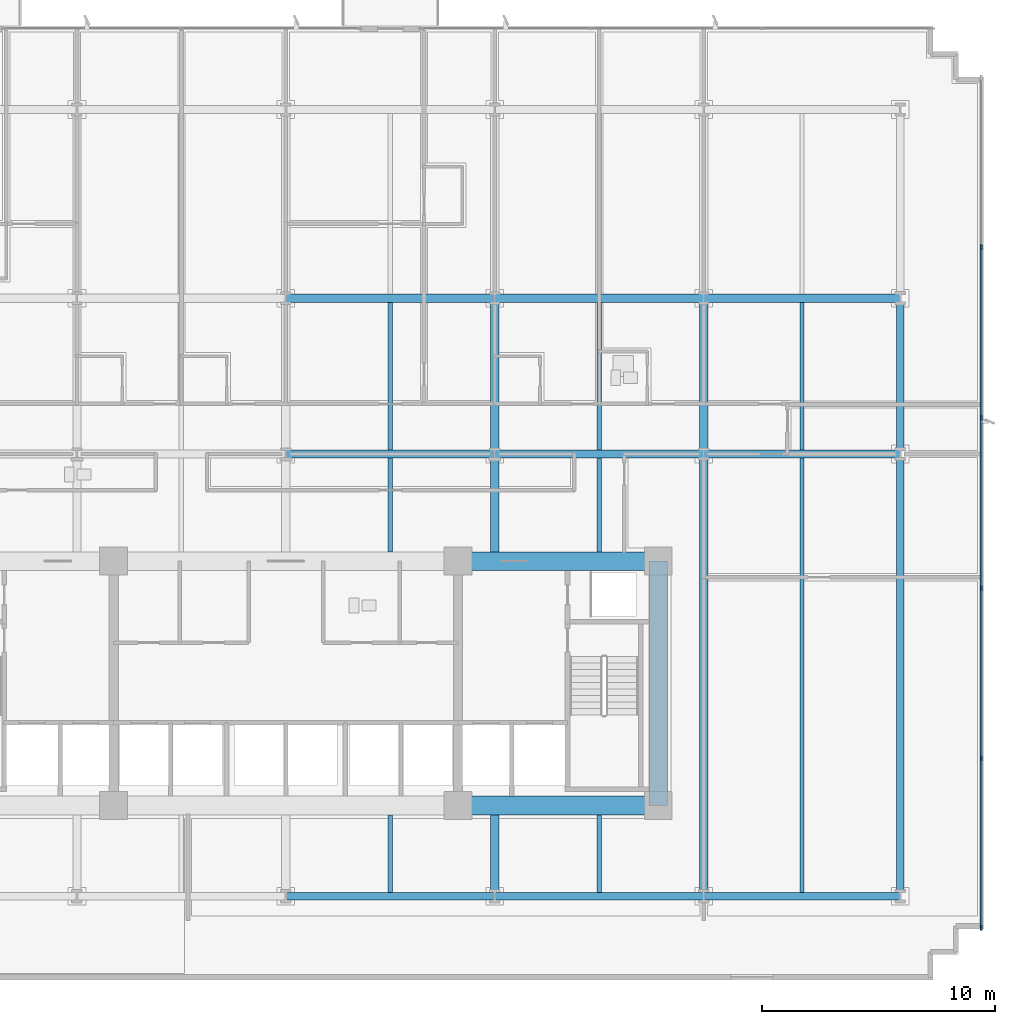
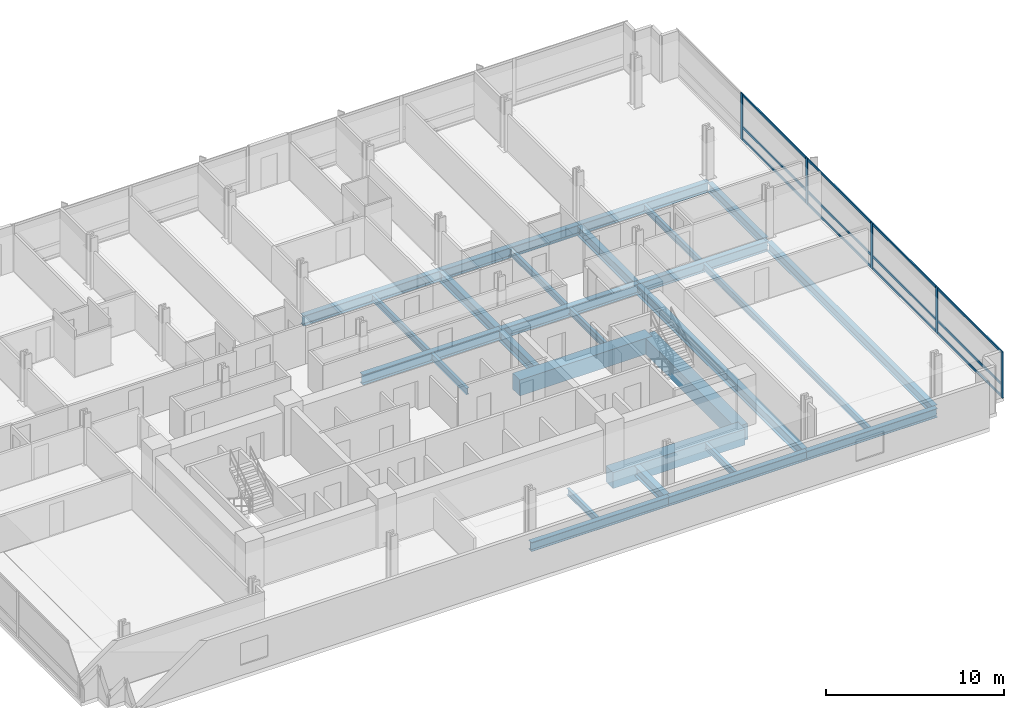
# One storey, part 4 of 15: 27 beams, 17 members, 1 element without a shape of its own.
"""IFC4 building model written with IfcOpenShell, lengths in metres."""

from ifc_helpers import new_model, si_unit, direction, frame, origin, origin_2d, place, context, subcontext, project, spatial, rectangle, i_section, extrude, material, material_profile, profile_set, type_object, element, aggregate, save


model = new_model("IFC4")

# Units and contexts
model_context = context("Model", 3, precision=1e-05, world=origin(), true_north=direction((0.0, 1.0)))
body_context = subcontext(model_context, "Body", "Model", "MODEL_VIEW")
ifc_project = project(units=[si_unit("LENGTHUNIT", "METRE"), si_unit("AREAUNIT", "SQUARE_METRE"), si_unit("VOLUMEUNIT", "CUBIC_METRE"), si_unit("PLANEANGLEUNIT", "RADIAN"), si_unit("MASSUNIT", "GRAM", prefix="KILO")], contexts=[model_context])

# Site, building, storey
site_placement = place(None, origin())
site = spatial("IfcSite", under=ifc_project, at=site_placement, CompositionType="ELEMENT")
building_placement = place(site_placement, origin())
building = spatial("IfcBuilding", under=site, at=building_placement, Name="Solmavex Isthmus Hotel", CompositionType="ELEMENT")
storey_placement = place(building_placement, frame((0.0, 0.0, 64.35009765625)))
storey = spatial("IfcBuildingStorey", under=building, at=storey_placement, Name="L17", CompositionType="ELEMENT", Elevation=64.35009765625)

# Beams
ifc_material_1 = material(Name="Steel ASTM A992 Grade 50", Category="steel")
ifc_material_profile_1 = material_profile(ifc_material_1, i_section(OverallWidth=0.354736328125, OverallDepth=0.695556640625, WebThickness=0.015380859375, FlangeThickness=0.02490234375, FilletRadius=0.017822265625, at=origin_2d()), Name="W27X146")
ifc_profile_set_1 = profile_set([ifc_material_profile_1], Name="Steel ASTM A992 Grade 50")
beam_type_1 = type_object("IfcBeamType", Name="BM-BG-W27X146", PredefinedType="BEAM", material=ifc_profile_set_1)
beam_1_placement = place(storey_placement, frame((0.0, 2.10009765625, -0.60791015625), z_axis=(1.0, 0.0, 0.0), x_axis=(0.0, 1.0, 0.0)))
element("IfcBeam", 1, at=beam_1_placement, inside=storey, type_object=beam_type_1, Name="Floor Girder L17-UG10", PredefinedType="BEAM", context=body_context, shape_type="SweptSolid", body=[
    extrude(i_section(OverallWidth=0.354736328125, OverallDepth=0.695556640625, WebThickness=0.015380859375, FlangeThickness=0.02490234375, FilletRadius=0.017822265625, at=origin_2d()), origin(), (0.0, 0.0, 1.0), 8.97607421875),
])
beam_2_placement = place(storey_placement, frame((8.97607421875, 2.10009765625, -0.60791015625), z_axis=(1.0, 0.0, 0.0), x_axis=(0.0, 1.0, 0.0)))
element("IfcBeam", 2, at=beam_2_placement, inside=storey, type_object=beam_type_1, Name="Floor Girder L17-UG11", PredefinedType="BEAM", context=body_context, shape_type="SweptSolid", body=[
    extrude(i_section(OverallWidth=0.354736328125, OverallDepth=0.695556640625, WebThickness=0.015380859375, FlangeThickness=0.02490234375, FilletRadius=0.017822265625, at=origin_2d()), origin(), (0.0, 0.0, 1.0), 8.975830078125),
])
beam_3_placement = place(storey_placement, frame((17.951904296875, 2.10009765625, -0.60791015625), z_axis=(1.0, 0.0, 0.0), x_axis=(0.0, 1.0, 0.0)))
element("IfcBeam", 3, at=beam_3_placement, inside=storey, type_object=beam_type_1, Name="Floor Girder L17-UG12", PredefinedType="BEAM", context=body_context, shape_type="SweptSolid", body=[
    extrude(i_section(OverallWidth=0.354736328125, OverallDepth=0.695556640625, WebThickness=0.015380859375, FlangeThickness=0.02490234375, FilletRadius=0.017822265625, at=origin_2d()), origin(), (0.0, 0.0, 1.0), 8.447998046875),
])
beam_4_placement = place(storey_placement, frame((0.0, 8.7880859375, -0.60791015625), z_axis=(1.0, 0.0, 0.0), x_axis=(0.0, 1.0, 0.0)))
element("IfcBeam", 4, at=beam_4_placement, inside=storey, type_object=beam_type_1, Name="Floor Girder L17-UG16", PredefinedType="BEAM", context=body_context, shape_type="SweptSolid", body=[
    extrude(i_section(OverallWidth=0.354736328125, OverallDepth=0.695556640625, WebThickness=0.015380859375, FlangeThickness=0.02490234375, FilletRadius=0.017822265625, at=origin_2d()), origin(), (0.0, 0.0, 1.0), 8.97607421875),
])
beam_5_placement = place(storey_placement, frame((8.97607421875, 8.7880859375, -0.60791015625), z_axis=(1.0, 0.0, 0.0), x_axis=(0.0, 1.0, 0.0)))
element("IfcBeam", 5, at=beam_5_placement, inside=storey, type_object=beam_type_1, Name="Floor Girder L17-UG17", PredefinedType="BEAM", context=body_context, shape_type="SweptSolid", body=[
    extrude(i_section(OverallWidth=0.354736328125, OverallDepth=0.695556640625, WebThickness=0.015380859375, FlangeThickness=0.02490234375, FilletRadius=0.017822265625, at=origin_2d()), origin(), (0.0, 0.0, 1.0), 8.975830078125),
])
beam_6_placement = place(storey_placement, frame((17.951904296875, 8.7880859375, -0.60791015625), z_axis=(1.0, 0.0, 0.0), x_axis=(0.0, 1.0, 0.0)))
element("IfcBeam", 6, at=beam_6_placement, inside=storey, type_object=beam_type_1, Name="Floor Girder L17-UG18", PredefinedType="BEAM", context=body_context, shape_type="SweptSolid", body=[
    extrude(i_section(OverallWidth=0.354736328125, OverallDepth=0.695556640625, WebThickness=0.015380859375, FlangeThickness=0.02490234375, FilletRadius=0.017822265625, at=origin_2d()), origin(), (0.0, 0.0, 1.0), 8.447998046875),
])
beam_7_placement = place(storey_placement, frame((8.97607421875, -16.73681640625, -0.60791015625), z_axis=(0.0, 1.0, 0.0), x_axis=(-1.0, 0.0, 0.0)))
element("IfcBeam", 7, at=beam_7_placement, inside=storey, type_object=beam_type_1, Name="Floor Beam L17-VG39", PredefinedType="BEAM", context=body_context, shape_type="SweptSolid", body=[
    extrude(i_section(OverallWidth=0.354736328125, OverallDepth=0.695556640625, WebThickness=0.015380859375, FlangeThickness=0.02490234375, FilletRadius=0.017822265625, at=origin_2d()), origin(), (0.0, 0.0, 1.0), 3.3369140625),
])
beam_8_placement = place(storey_placement, frame((8.97607421875, -2.10009765625, -0.60791015625), z_axis=(0.0, 1.0, 0.0), x_axis=(-1.0, 0.0, 0.0)))
element("IfcBeam", 8, at=beam_8_placement, inside=storey, type_object=beam_type_1, Name="Floor Beam L17-VG40", PredefinedType="BEAM", context=body_context, shape_type="SweptSolid", body=[
    extrude(i_section(OverallWidth=0.354736328125, OverallDepth=0.695556640625, WebThickness=0.015380859375, FlangeThickness=0.02490234375, FilletRadius=0.017822265625, at=origin_2d()), origin(), (0.0, 0.0, 1.0), 4.022705078125),
])
beam_9_placement = place(storey_placement, frame((8.97607421875, 2.27734375, -0.60791015625), z_axis=(0.0, 1.0, 0.0), x_axis=(-1.0, 0.0, 0.0)))
element("IfcBeam", 9, at=beam_9_placement, inside=storey, type_object=beam_type_1, Name="Floor Beam L17-VG41", PredefinedType="BEAM", context=body_context, shape_type="SweptSolid", body=[
    extrude(i_section(OverallWidth=0.354736328125, OverallDepth=0.695556640625, WebThickness=0.015380859375, FlangeThickness=0.02490234375, FilletRadius=0.017822265625, at=origin_2d()), origin(), (0.0, 0.0, 1.0), 6.333251953125),
])
beam_10_placement = place(storey_placement, frame((17.951904296875, -16.73681640625, -0.60791015625), z_axis=(0.0, 1.0, 0.0), x_axis=(-1.0, 0.0, 0.0)))
element("IfcBeam", 10, at=beam_10_placement, inside=storey, type_object=beam_type_1, Name="Floor Beam L17-VG43", PredefinedType="BEAM", context=body_context, shape_type="SweptSolid", body=[
    extrude(i_section(OverallWidth=0.354736328125, OverallDepth=0.695556640625, WebThickness=0.015380859375, FlangeThickness=0.02490234375, FilletRadius=0.017822265625, at=origin_2d()), origin(), (0.0, 0.0, 1.0), 18.659423828125),
])
beam_11_placement = place(storey_placement, frame((17.951904296875, 2.27734375, -0.60791015625), z_axis=(0.0, 1.0, 0.0), x_axis=(-1.0, 0.0, 0.0)))
element("IfcBeam", 11, at=beam_11_placement, inside=storey, type_object=beam_type_1, Name="Floor Beam L17-VG44", PredefinedType="BEAM", context=body_context, shape_type="SweptSolid", body=[
    extrude(i_section(OverallWidth=0.354736328125, OverallDepth=0.695556640625, WebThickness=0.015380859375, FlangeThickness=0.02490234375, FilletRadius=0.017822265625, at=origin_2d()), origin(), (0.0, 0.0, 1.0), 6.333251953125),
])
ifc_material_profile_2 = material_profile(ifc_material_1, i_section(OverallWidth=0.1904296875, OverallDepth=0.456787109375, WebThickness=0.009033203125, FlangeThickness=0.014404296875, FilletRadius=0.0126953125, at=origin_2d()), Name="W18X50")
ifc_profile_set_2 = profile_set([ifc_material_profile_2], Name="Steel ASTM A992 Grade 50")
beam_type_2 = type_object("IfcBeamType", Name="BM-BJ-W18X50", PredefinedType="JOIST", material=ifc_profile_set_2)
beam_12_placement = place(storey_placement, frame((4.488037109375, -16.73681640625, -0.488525390625), z_axis=(0.0, 1.0, 0.0), x_axis=(-1.0, 0.0, 0.0)))
element("IfcBeam", 12, at=beam_12_placement, inside=storey, type_object=beam_type_2, Name="Secondary Floor Joist L17-J12", PredefinedType="JOIST", context=body_context, shape_type="SweptSolid", body=[
    extrude(i_section(OverallWidth=0.1904296875, OverallDepth=0.456787109375, WebThickness=0.009033203125, FlangeThickness=0.014404296875, FilletRadius=0.0126953125, at=origin_2d()), origin(), (0.0, 0.0, 1.0), 3.3369140625),
])
beam_13_placement = place(storey_placement, frame((4.488037109375, -2.10009765625, -0.488525390625), z_axis=(0.0, 1.0, 0.0), x_axis=(-1.0, 0.0, 0.0)))
element("IfcBeam", 13, at=beam_13_placement, inside=storey, type_object=beam_type_2, Name="Secondary Floor Joist L17-J13", PredefinedType="JOIST", context=body_context, shape_type="SweptSolid", body=[
    extrude(i_section(OverallWidth=0.1904296875, OverallDepth=0.456787109375, WebThickness=0.009033203125, FlangeThickness=0.014404296875, FilletRadius=0.0126953125, at=origin_2d()), origin(), (0.0, 0.0, 1.0), 4.022705078125),
])
beam_14_placement = place(storey_placement, frame((4.488037109375, 2.27734375, -0.488525390625), z_axis=(0.0, 1.0, 0.0), x_axis=(-1.0, 0.0, 0.0)))
element("IfcBeam", 14, at=beam_14_placement, inside=storey, type_object=beam_type_2, Name="Secondary Floor Joist L17-J14", PredefinedType="JOIST", context=body_context, shape_type="SweptSolid", body=[
    extrude(i_section(OverallWidth=0.1904296875, OverallDepth=0.456787109375, WebThickness=0.009033203125, FlangeThickness=0.014404296875, FilletRadius=0.0126953125, at=origin_2d()), origin(), (0.0, 0.0, 1.0), 6.333251953125),
])
beam_15_placement = place(storey_placement, frame((13.464111328125, -16.73681640625, -0.488525390625), z_axis=(0.0, 1.0, 0.0), x_axis=(-1.0, 0.0, 0.0)))
element("IfcBeam", 15, at=beam_15_placement, inside=storey, type_object=beam_type_2, Name="Secondary Floor Joist L17-J16", PredefinedType="JOIST", context=body_context, shape_type="SweptSolid", body=[
    extrude(i_section(OverallWidth=0.1904296875, OverallDepth=0.456787109375, WebThickness=0.009033203125, FlangeThickness=0.014404296875, FilletRadius=0.0126953125, at=origin_2d()), origin(), (0.0, 0.0, 1.0), 3.3369140625),
])
beam_16_placement = place(storey_placement, frame((13.464111328125, -2.10009765625, -0.488525390625), z_axis=(0.0, 1.0, 0.0), x_axis=(-1.0, 0.0, 0.0)))
element("IfcBeam", 16, at=beam_16_placement, inside=storey, type_object=beam_type_2, Name="Secondary Floor Joist L17-J17", PredefinedType="JOIST", context=body_context, shape_type="SweptSolid", body=[
    extrude(i_section(OverallWidth=0.1904296875, OverallDepth=0.456787109375, WebThickness=0.009033203125, FlangeThickness=0.014404296875, FilletRadius=0.0126953125, at=origin_2d()), origin(), (0.0, 0.0, 1.0), 4.022705078125),
])
beam_17_placement = place(storey_placement, frame((13.464111328125, 2.27734375, -0.488525390625), z_axis=(0.0, 1.0, 0.0), x_axis=(-1.0, 0.0, 0.0)))
element("IfcBeam", 17, at=beam_17_placement, inside=storey, type_object=beam_type_2, Name="Secondary Floor Joist L17-J18", PredefinedType="JOIST", context=body_context, shape_type="SweptSolid", body=[
    extrude(i_section(OverallWidth=0.1904296875, OverallDepth=0.456787109375, WebThickness=0.009033203125, FlangeThickness=0.014404296875, FilletRadius=0.0126953125, at=origin_2d()), origin(), (0.0, 0.0, 1.0), 6.333251953125),
])
beam_18_placement = place(storey_placement, frame((22.176025390625, -16.73681640625, -0.488525390625), z_axis=(0.0, 1.0, 0.0), x_axis=(-1.0, 0.0, 0.0)))
element("IfcBeam", 18, at=beam_18_placement, inside=storey, type_object=beam_type_2, Name="Secondary Floor Joist L17-J20", PredefinedType="JOIST", context=body_context, shape_type="SweptSolid", body=[
    extrude(i_section(OverallWidth=0.1904296875, OverallDepth=0.456787109375, WebThickness=0.009033203125, FlangeThickness=0.014404296875, FilletRadius=0.0126953125, at=origin_2d()), origin(), (0.0, 0.0, 1.0), 18.659423828125),
])
beam_19_placement = place(storey_placement, frame((22.176025390625, 2.27734375, -0.488525390625), z_axis=(0.0, 1.0, 0.0), x_axis=(-1.0, 0.0, 0.0)))
element("IfcBeam", 19, at=beam_19_placement, inside=storey, type_object=beam_type_2, Name="Secondary Floor Joist L17-J21", PredefinedType="JOIST", context=body_context, shape_type="SweptSolid", body=[
    extrude(i_section(OverallWidth=0.1904296875, OverallDepth=0.456787109375, WebThickness=0.009033203125, FlangeThickness=0.014404296875, FilletRadius=0.0126953125, at=origin_2d()), origin(), (0.0, 0.0, 1.0), 6.333251953125),
])
ifc_material_2 = material(Name="Concrete C70/85", Category="concrete")
ifc_material_profile_3 = material_profile(ifc_material_2, rectangle(XDim=0.800048828125, YDim=1.10009765625, at=origin_2d()), Name="RC800X1100")
ifc_profile_set_3 = profile_set([ifc_material_profile_3], Name="Concrete C70/85")
beam_type_3 = type_object("IfcBeamType", Name="BM-CB-800X1100", PredefinedType="BEAM", material=ifc_profile_set_3)
for number, where, z_axis, x_axis, name in (
    (20, (7.39990234375, -13.0, -0.81005859375), (1.0, 0.0, 0.0), (0.0, 1.0, 0.0), "Core Coupling Beam L17-CB3"),
    (21, (7.39990234375, -2.5, -0.81005859375), (1.0, 0.0, 0.0), (0.0, 1.0, 0.0), "Core Coupling Beam L17-CB6"),
):
    element("IfcBeam", number, at=place(storey_placement, frame(where, z_axis=z_axis, x_axis=x_axis)), inside=storey, type_object=beam_type_3, Name=name, PredefinedType="BEAM", context=body_context, shape_type="SweptSolid", body=[
        extrude(rectangle(XDim=0.800048828125, YDim=1.10009765625, at=origin_2d()), origin(), (0.0, 0.0, 1.0), 8.60009765625),
    ])
beam_20_placement = place(storey_placement, frame((16.0, -13.0, -0.81005859375), z_axis=(0.0, 1.0, 0.0), x_axis=(-1.0, 0.0, 0.0)))
element("IfcBeam", 22, at=beam_20_placement, inside=storey, type_object=beam_type_3, Name="Core Coupling Beam L17-CB8", PredefinedType="BEAM", context=body_context, shape_type="SweptSolid", body=[
    extrude(rectangle(XDim=0.800048828125, YDim=1.10009765625, at=origin_2d()), origin(), (0.0, 0.0, 1.0), 10.5),
])
ifc_material_profile_4 = material_profile(ifc_material_1, i_section(OverallWidth=0.326416015625, OverallDepth=0.621826171875, WebThickness=0.015380859375, FlangeThickness=0.0244140625, FilletRadius=0.01513671875, at=origin_2d()), Name="W24X131")
ifc_profile_set_4 = profile_set([ifc_material_profile_4], Name="Steel ASTM A992 Grade 50")
beam_type_4 = type_object("IfcBeamType", Name="BM-SP-W24X131", PredefinedType="SPANDREL", material=ifc_profile_set_4)
beam_21_placement = place(storey_placement, frame((0.0, -16.89990234375, -0.571044921875), z_axis=(1.0, 0.0, 0.0), x_axis=(0.0, 1.0, 0.0)))
element("IfcBeam", 23, at=beam_21_placement, inside=storey, type_object=beam_type_4, Name="Floor Girder L17-UG04", PredefinedType="SPANDREL", context=body_context, shape_type="SweptSolid", body=[
    extrude(i_section(OverallWidth=0.326416015625, OverallDepth=0.621826171875, WebThickness=0.015380859375, FlangeThickness=0.0244140625, FilletRadius=0.01513671875, at=origin_2d()), origin(), (0.0, 0.0, 1.0), 8.97607421875),
])
beam_22_placement = place(storey_placement, frame((8.97607421875, -16.89990234375, -0.571044921875), z_axis=(1.0, 0.0, 0.0), x_axis=(0.0, 1.0, 0.0)))
element("IfcBeam", 24, at=beam_22_placement, inside=storey, type_object=beam_type_4, Name="Floor Girder L17-UG05", PredefinedType="SPANDREL", context=body_context, shape_type="SweptSolid", body=[
    extrude(i_section(OverallWidth=0.326416015625, OverallDepth=0.621826171875, WebThickness=0.015380859375, FlangeThickness=0.0244140625, FilletRadius=0.01513671875, at=origin_2d()), origin(), (0.0, 0.0, 1.0), 8.975830078125),
])
beam_23_placement = place(storey_placement, frame((17.951904296875, -16.89990234375, -0.571044921875), z_axis=(1.0, 0.0, 0.0), x_axis=(0.0, 1.0, 0.0)))
element("IfcBeam", 25, at=beam_23_placement, inside=storey, type_object=beam_type_4, Name="Floor Girder L17-UG06", PredefinedType="SPANDREL", context=body_context, shape_type="SweptSolid", body=[
    extrude(i_section(OverallWidth=0.326416015625, OverallDepth=0.621826171875, WebThickness=0.015380859375, FlangeThickness=0.0244140625, FilletRadius=0.01513671875, at=origin_2d()), origin(), (0.0, 0.0, 1.0), 8.447998046875),
])
beam_24_placement = place(storey_placement, frame((26.39990234375, -16.73681640625, -0.571044921875), z_axis=(0.0, 1.0, 0.0), x_axis=(-1.0, 0.0, 0.0)))
element("IfcBeam", 26, at=beam_24_placement, inside=storey, type_object=beam_type_4, Name="Floor Beam L17-VG46", PredefinedType="SPANDREL", context=body_context, shape_type="SweptSolid", body=[
    extrude(i_section(OverallWidth=0.326416015625, OverallDepth=0.621826171875, WebThickness=0.015380859375, FlangeThickness=0.0244140625, FilletRadius=0.01513671875, at=origin_2d()), origin(), (0.0, 0.0, 1.0), 18.659423828125),
])
beam_25_placement = place(storey_placement, frame((26.39990234375, 2.27734375, -0.571044921875), z_axis=(0.0, 1.0, 0.0), x_axis=(-1.0, 0.0, 0.0)))
element("IfcBeam", 27, at=beam_25_placement, inside=storey, type_object=beam_type_4, Name="Floor Beam L17-VG47", PredefinedType="SPANDREL", context=body_context, shape_type="SweptSolid", body=[
    extrude(i_section(OverallWidth=0.326416015625, OverallDepth=0.621826171875, WebThickness=0.015380859375, FlangeThickness=0.0244140625, FilletRadius=0.01513671875, at=origin_2d()), origin(), (0.0, 0.0, 1.0), 6.333251953125),
])

# Curtain wall, members
ifc_material_3 = material(Name="Aluminium alloy 6063-T6", Category="aluminium")
curtain_wall_type = type_object("IfcCurtainWallType", Name="CW-SYS-02", PredefinedType="NOTDEFINED", material=ifc_material_3)
curtain_wall_placement = place(storey_placement, origin())
curtain_wall = element("IfcCurtainWall", 28, at=curtain_wall_placement, inside=storey, type_object=curtain_wall_type, Name="Stick Curtain Wall CWL-L17-E1", PredefinedType="NOTDEFINED")
ifc_material_profile_5 = material_profile(ifc_material_3, rectangle(XDim=0.074951171875, YDim=0.219970703125, at=origin_2d()), Name="CWM-75X220")
ifc_profile_set_5 = profile_set([ifc_material_profile_5], Name="Aluminium alloy 6063-T6")
member_type_1 = type_object("IfcMemberType", Name="CW-SYS-02-MUL", PredefinedType="MULLION", material=ifc_profile_set_5)
member_1_placement = place(storey_placement, frame((29.8798828125, -18.262451171875, 0.0), z_axis=(0.0, 0.0, 1.0), x_axis=(-1.0, 0.0, 0.0)))
member_1 = element("IfcMember", 29, at=member_1_placement, type_object=member_type_1, Name="CW-02 mullion 1", PredefinedType="MULLION", context=body_context, shape_type="SweptSolid", body=[
    extrude(rectangle(XDim=0.074951171875, YDim=0.219970703125, at=origin_2d()), origin(), (0.0, 0.0, 1.0), 3.18994140625),
])
member_2_placement = place(storey_placement, frame((29.8798828125, -10.97998046875, 0.0), z_axis=(0.0, 0.0, 1.0), x_axis=(-1.0, 0.0, 0.0)))
member_2 = element("IfcMember", 30, at=member_2_placement, type_object=member_type_1, Name="CW-02 mullion 2", PredefinedType="MULLION", context=body_context, shape_type="SweptSolid", body=[
    extrude(rectangle(XDim=0.074951171875, YDim=0.219970703125, at=origin_2d()), origin(), (0.0, 0.0, 1.0), 3.18994140625),
])
member_3_placement = place(storey_placement, frame((29.8798828125, -3.659912109375, 0.0), z_axis=(0.0, 0.0, 1.0), x_axis=(-1.0, 0.0, 0.0)))
member_3 = element("IfcMember", 31, at=member_3_placement, type_object=member_type_1, Name="CW-02 mullion 3", PredefinedType="MULLION", context=body_context, shape_type="SweptSolid", body=[
    extrude(rectangle(XDim=0.074951171875, YDim=0.219970703125, at=origin_2d()), origin(), (0.0, 0.0, 1.0), 3.18994140625),
])
member_4_placement = place(storey_placement, frame((29.8798828125, 3.659912109375, 0.0), z_axis=(0.0, 0.0, 1.0), x_axis=(-1.0, 0.0, 0.0)))
member_4 = element("IfcMember", 32, at=member_4_placement, type_object=member_type_1, Name="CW-02 mullion 4", PredefinedType="MULLION", context=body_context, shape_type="SweptSolid", body=[
    extrude(rectangle(XDim=0.074951171875, YDim=0.219970703125, at=origin_2d()), origin(), (0.0, 0.0, 1.0), 3.18994140625),
])
member_5_placement = place(storey_placement, frame((29.8798828125, 10.97998046875, 0.0), z_axis=(0.0, 0.0, 1.0), x_axis=(-1.0, 0.0, 0.0)))
member_5 = element("IfcMember", 33, at=member_5_placement, type_object=member_type_1, Name="CW-02 mullion 5", PredefinedType="MULLION", context=body_context, shape_type="SweptSolid", body=[
    extrude(rectangle(XDim=0.074951171875, YDim=0.219970703125, at=origin_2d()), origin(), (0.0, 0.0, 1.0), 3.18994140625),
])
ifc_material_profile_6 = material_profile(ifc_material_3, rectangle(XDim=0.074951171875, YDim=0.159912109375, at=origin_2d()), Name="CWT-75X160")
ifc_profile_set_6 = profile_set([ifc_material_profile_6], Name="Aluminium alloy 6063-T6")
member_type_2 = type_object("IfcMemberType", Name="CW-SYS-02-TRN", PredefinedType="USERDEFINED", material=ifc_profile_set_6)
member_6_placement = place(storey_placement, frame((29.8798828125, -18.22509765625, 0.079833984375), z_axis=(0.0, 1.0, 0.0), x_axis=(-1.0, 0.0, 0.0)))
member_6 = element("IfcMember", 34, at=member_6_placement, type_object=member_type_2, Name="CW-02 transom 1.1", ObjectType="TRANSOM", PredefinedType="USERDEFINED", context=body_context, shape_type="SweptSolid", body=[
    extrude(rectangle(XDim=0.074951171875, YDim=0.159912109375, at=origin_2d()), origin(), (0.0, 0.0, 1.0), 7.20751953125),
])
member_7_placement = place(storey_placement, frame((29.8798828125, -18.22509765625, 0.89990234375), z_axis=(0.0, 1.0, 0.0), x_axis=(-1.0, 0.0, 0.0)))
member_7 = element("IfcMember", 35, at=member_7_placement, type_object=member_type_2, Name="CW-02 transom 1.2", ObjectType="TRANSOM", PredefinedType="USERDEFINED", context=body_context, shape_type="SweptSolid", body=[
    extrude(rectangle(XDim=0.074951171875, YDim=0.159912109375, at=origin_2d()), origin(), (0.0, 0.0, 1.0), 7.20751953125),
])
member_8_placement = place(storey_placement, frame((29.8798828125, -18.22509765625, 3.10986328125), z_axis=(0.0, 1.0, 0.0), x_axis=(-1.0, 0.0, 0.0)))
member_8 = element("IfcMember", 36, at=member_8_placement, type_object=member_type_2, Name="CW-02 transom 1.3", ObjectType="TRANSOM", PredefinedType="USERDEFINED", context=body_context, shape_type="SweptSolid", body=[
    extrude(rectangle(XDim=0.074951171875, YDim=0.159912109375, at=origin_2d()), origin(), (0.0, 0.0, 1.0), 7.20751953125),
])
member_9_placement = place(storey_placement, frame((29.8798828125, -10.9423828125, 0.079833984375), z_axis=(0.0, 1.0, 0.0), x_axis=(-1.0, 0.0, 0.0)))
member_9 = element("IfcMember", 37, at=member_9_placement, type_object=member_type_2, Name="CW-02 transom 2.1", ObjectType="TRANSOM", PredefinedType="USERDEFINED", context=body_context, shape_type="SweptSolid", body=[
    extrude(rectangle(XDim=0.074951171875, YDim=0.159912109375, at=origin_2d()), origin(), (0.0, 0.0, 1.0), 7.244873046875),
])
member_10_placement = place(storey_placement, frame((29.8798828125, -10.9423828125, 0.89990234375), z_axis=(0.0, 1.0, 0.0), x_axis=(-1.0, 0.0, 0.0)))
member_10 = element("IfcMember", 38, at=member_10_placement, type_object=member_type_2, Name="CW-02 transom 2.2", ObjectType="TRANSOM", PredefinedType="USERDEFINED", context=body_context, shape_type="SweptSolid", body=[
    extrude(rectangle(XDim=0.074951171875, YDim=0.159912109375, at=origin_2d()), origin(), (0.0, 0.0, 1.0), 7.244873046875),
])
member_11_placement = place(storey_placement, frame((29.8798828125, -10.9423828125, 3.10986328125), z_axis=(0.0, 1.0, 0.0), x_axis=(-1.0, 0.0, 0.0)))
member_11 = element("IfcMember", 39, at=member_11_placement, type_object=member_type_2, Name="CW-02 transom 2.3", ObjectType="TRANSOM", PredefinedType="USERDEFINED", context=body_context, shape_type="SweptSolid", body=[
    extrude(rectangle(XDim=0.074951171875, YDim=0.159912109375, at=origin_2d()), origin(), (0.0, 0.0, 1.0), 7.244873046875),
])
member_12_placement = place(storey_placement, frame((29.8798828125, -3.62255859375, 0.079833984375), z_axis=(0.0, 1.0, 0.0), x_axis=(-1.0, 0.0, 0.0)))
member_12 = element("IfcMember", 40, at=member_12_placement, type_object=member_type_2, Name="CW-02 transom 3.1", ObjectType="TRANSOM", PredefinedType="USERDEFINED", context=body_context, shape_type="SweptSolid", body=[
    extrude(rectangle(XDim=0.074951171875, YDim=0.159912109375, at=origin_2d()), origin(), (0.0, 0.0, 1.0), 7.2451171875),
])
member_13_placement = place(storey_placement, frame((29.8798828125, -3.62255859375, 0.89990234375), z_axis=(0.0, 1.0, 0.0), x_axis=(-1.0, 0.0, 0.0)))
member_13 = element("IfcMember", 41, at=member_13_placement, type_object=member_type_2, Name="CW-02 transom 3.2", ObjectType="TRANSOM", PredefinedType="USERDEFINED", context=body_context, shape_type="SweptSolid", body=[
    extrude(rectangle(XDim=0.074951171875, YDim=0.159912109375, at=origin_2d()), origin(), (0.0, 0.0, 1.0), 7.2451171875),
])
member_14_placement = place(storey_placement, frame((29.8798828125, -3.62255859375, 3.10986328125), z_axis=(0.0, 1.0, 0.0), x_axis=(-1.0, 0.0, 0.0)))
member_14 = element("IfcMember", 42, at=member_14_placement, type_object=member_type_2, Name="CW-02 transom 3.3", ObjectType="TRANSOM", PredefinedType="USERDEFINED", context=body_context, shape_type="SweptSolid", body=[
    extrude(rectangle(XDim=0.074951171875, YDim=0.159912109375, at=origin_2d()), origin(), (0.0, 0.0, 1.0), 7.2451171875),
])
member_15_placement = place(storey_placement, frame((29.8798828125, 3.697509765625, 0.079833984375), z_axis=(0.0, 1.0, 0.0), x_axis=(-1.0, 0.0, 0.0)))
member_15 = element("IfcMember", 43, at=member_15_placement, type_object=member_type_2, Name="CW-02 transom 4.1", ObjectType="TRANSOM", PredefinedType="USERDEFINED", context=body_context, shape_type="SweptSolid", body=[
    extrude(rectangle(XDim=0.074951171875, YDim=0.159912109375, at=origin_2d()), origin(), (0.0, 0.0, 1.0), 7.244873046875),
])
member_16_placement = place(storey_placement, frame((29.8798828125, 3.697509765625, 0.89990234375), z_axis=(0.0, 1.0, 0.0), x_axis=(-1.0, 0.0, 0.0)))
member_16 = element("IfcMember", 44, at=member_16_placement, type_object=member_type_2, Name="CW-02 transom 4.2", ObjectType="TRANSOM", PredefinedType="USERDEFINED", context=body_context, shape_type="SweptSolid", body=[
    extrude(rectangle(XDim=0.074951171875, YDim=0.159912109375, at=origin_2d()), origin(), (0.0, 0.0, 1.0), 7.244873046875),
])
member_17_placement = place(storey_placement, frame((29.8798828125, 3.697509765625, 3.10986328125), z_axis=(0.0, 1.0, 0.0), x_axis=(-1.0, 0.0, 0.0)))
member_17 = element("IfcMember", 45, at=member_17_placement, type_object=member_type_2, Name="CW-02 transom 4.3", ObjectType="TRANSOM", PredefinedType="USERDEFINED", context=body_context, shape_type="SweptSolid", body=[
    extrude(rectangle(XDim=0.074951171875, YDim=0.159912109375, at=origin_2d()), origin(), (0.0, 0.0, 1.0), 7.244873046875),
])
aggregate(curtain_wall, [member_1, member_2, member_3, member_4, member_5, member_6, member_7, member_8, member_9, member_10, member_11, member_12, member_13, member_14, member_15, member_16, member_17])

save(model, "model.ifc")
